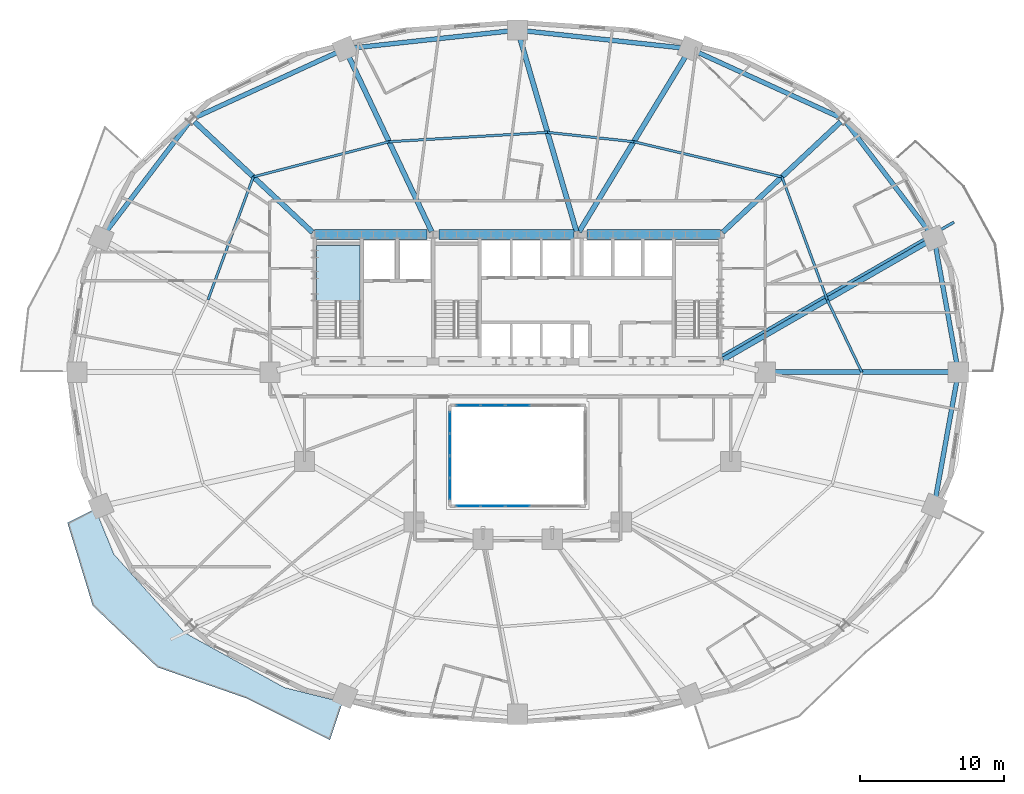
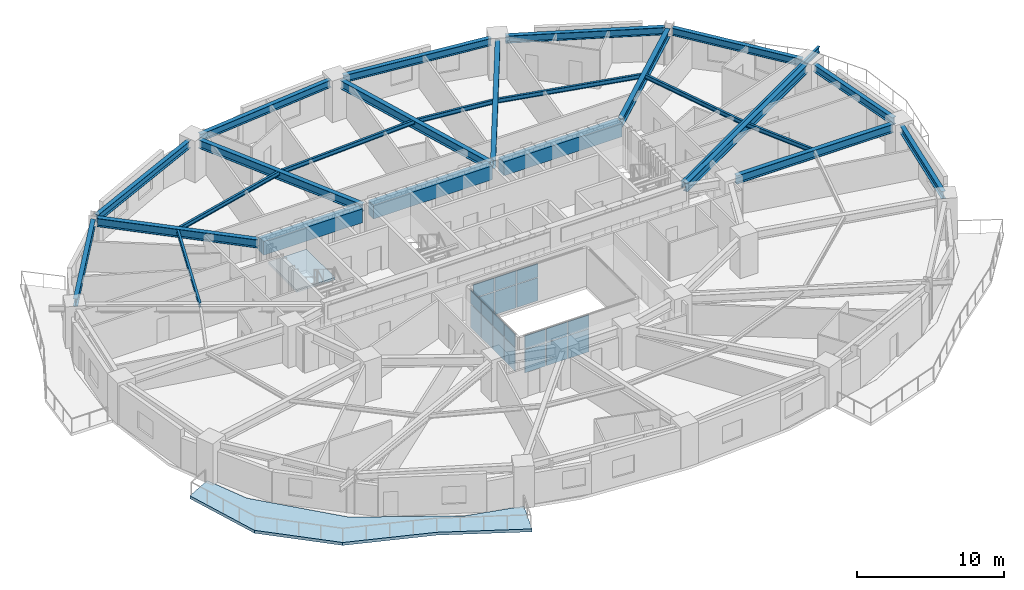
# One storey, part 7 of 17: 26 beams, 20 plates, 2 slabs, 4 elements without a shape of their own.
"""IFC4 building model written with IfcOpenShell, lengths in metres."""

from ifc_helpers import new_model, si_unit, direction, frame, origin, origin_2d, place, context, subcontext, project, spatial, polyline, rectangle, i_section, outline, extrude, material, layer, layer_set, material_profile, profile_set, type_object, element, aggregate, save


model = new_model("IFC4")

# Units and contexts
model_context = context("Model", 3, precision=1e-05, world=origin(), true_north=direction((0.0, 1.0)))
body_context = subcontext(model_context, "Body", "Model", "MODEL_VIEW")
ifc_project = project(units=[si_unit("LENGTHUNIT", "METRE"), si_unit("AREAUNIT", "SQUARE_METRE"), si_unit("VOLUMEUNIT", "CUBIC_METRE"), si_unit("PLANEANGLEUNIT", "RADIAN"), si_unit("MASSUNIT", "GRAM", prefix="KILO")], contexts=[model_context])

# Site, building, storey
site_placement = place(None, origin())
site = spatial("IfcSite", under=ifc_project, at=site_placement, CompositionType="ELEMENT")
building_placement = place(site_placement, origin())
building = spatial("IfcBuilding", under=site, at=building_placement, Name="Haldorwick Loom Tower", CompositionType="ELEMENT")
storey_placement = place(building_placement, frame((0.0, 0.0, 55.050048828125)))
storey = spatial("IfcBuildingStorey", under=building, at=storey_placement, Name="L14", CompositionType="ELEMENT", Elevation=55.050048828125)

# Beams
ifc_material_1 = material(Name="Steel CSA G40.21 350W", Category="steel")
ifc_material_profile_1 = material_profile(ifc_material_1, i_section(OverallWidth=0.193115234375, OverallDepth=0.466064453125, WebThickness=0.011474609375, FlangeThickness=0.01904296875, at=origin_2d()), Name="W460X97", Category="steel")
ifc_profile_set_1 = profile_set([ifc_material_profile_1], Name="Steel CSA G40.21 350W")
beam_type_1 = type_object("IfcBeamType", Name="STR-BM-BAL460", PredefinedType="BEAM", material=ifc_profile_set_1)
beam_1_placement = place(storey_placement, frame((50.125244140625, 27.10498046875, 2.97705078125), z_axis=(0.866607024941, 0.49899124674, 0.0), x_axis=(-0.49899124674, 0.866607024941, 0.0)))
element("IfcBeam", 1, at=beam_1_placement, inside=storey, type_object=beam_type_1, Name="L14 Continuous Back-Spanned Balcony Beam 4", PredefinedType="BEAM", context=body_context, shape_type="SweptSolid", body=[
    extrude(i_section(OverallWidth=0.193115234375, OverallDepth=0.466064453125, WebThickness=0.011474609375, FlangeThickness=0.01904296875, at=origin_2d()), origin(), (0.0, 0.0, 1.0), 18.65771484375),
])
ifc_material_2 = material(Name="Concrete C60 (60 MPa)", Category="concrete")
ifc_material_profile_2 = material_profile(ifc_material_2, rectangle(XDim=0.699951171875, YDim=1.14990234375, at=origin_2d()), Name="RC700X1150", Category="concrete")
ifc_profile_set_2 = profile_set([ifc_material_profile_2], Name="Concrete C60 (60 MPa)")
beam_type_2 = type_object("IfcBeamType", Name="STR-BM-CB1150", PredefinedType="LINTEL", material=ifc_profile_set_2)
beam_2_placement = place(storey_placement, frame((21.89990234375, 35.550048828125, 2.635009765625), z_axis=(1.0, 0.0, 0.0), x_axis=(0.0, 1.0, 0.0)))
element("IfcBeam", 2, at=beam_2_placement, inside=storey, type_object=beam_type_2, Name="L14 Core Coupling Beam CB-N1", PredefinedType="LINTEL", context=body_context, shape_type="SweptSolid", body=[
    extrude(rectangle(XDim=0.699951171875, YDim=1.14990234375, at=origin_2d()), origin(), (0.0, 0.0, 1.0), 7.800048828125),
])
beam_3_placement = place(storey_placement, frame((30.550048828125, 35.550048828125, 2.635009765625), z_axis=(1.0, 0.0, 0.0), x_axis=(0.0, 1.0, 0.0)))
element("IfcBeam", 3, at=beam_3_placement, inside=storey, type_object=beam_type_2, Name="L14 Core Coupling Beam CB-N2", PredefinedType="LINTEL", context=body_context, shape_type="SweptSolid", body=[
    extrude(rectangle(XDim=0.699951171875, YDim=1.14990234375, at=origin_2d()), origin(), (0.0, 0.0, 1.0), 9.349853515625),
])
beam_4_placement = place(storey_placement, frame((40.800048828125, 35.550048828125, 2.635009765625), z_axis=(1.0, 0.0, 0.0), x_axis=(0.0, 1.0, 0.0)))
element("IfcBeam", 4, at=beam_4_placement, inside=storey, type_object=beam_type_2, Name="L14 Core Coupling Beam CB-N3", PredefinedType="LINTEL", context=body_context, shape_type="SweptSolid", body=[
    extrude(rectangle(XDim=0.699951171875, YDim=1.14990234375, at=origin_2d()), origin(), (0.0, 0.0, 1.0), 9.300048828125),
])
ifc_material_profile_3 = material_profile(ifc_material_1, i_section(OverallWidth=0.172119140625, OverallDepth=0.35791015625, WebThickness=0.0078125, FlangeThickness=0.01318359375, at=origin_2d()), Name="W360X57", Category="steel")
ifc_profile_set_3 = profile_set([ifc_material_profile_3], Name="Steel CSA G40.21 350W")
beam_type_3 = type_object("IfcBeamType", Name="STR-BM-J360", PredefinedType="JOIST", material=ifc_profile_set_3)
beam_5_placement = place(storey_placement, frame((59.89794921875, 26.0, 3.031005859375), z_axis=(-0.431630738849, 0.902050389546, 0.0), x_axis=(-0.902050389546, -0.431630738849, 0.0)))
element("IfcBeam", 5, at=beam_5_placement, inside=storey, type_object=beam_type_3, Name="L14 Mid-Bay Secondary Joist 1", PredefinedType="JOIST", context=body_context, shape_type="SweptSolid", body=[
    extrude(i_section(OverallWidth=0.172119140625, OverallDepth=0.35791015625, WebThickness=0.0078125, FlangeThickness=0.01318359375, at=origin_2d()), origin(), (0.0, 0.0, 1.0), 5.5703125),
])
beam_6_placement = place(storey_placement, frame((57.49365234375, 31.024658203125, 3.031005859375), z_axis=(-0.345576005762, 0.938390763084, 0.0), x_axis=(-0.938390763084, -0.345576005762, 0.0)))
element("IfcBeam", 6, at=beam_6_placement, inside=storey, type_object=beam_type_3, Name="L14 Mid-Bay Secondary Joist 2", PredefinedType="JOIST", context=body_context, shape_type="SweptSolid", body=[
    extrude(i_section(OverallWidth=0.172119140625, OverallDepth=0.35791015625, WebThickness=0.0078125, FlangeThickness=0.01318359375, at=origin_2d()), origin(), (0.0, 0.0, 1.0), 9.0966796875),
])
beam_7_placement = place(storey_placement, frame((54.35009765625, 39.560791015625, 3.031005859375), z_axis=(-0.973016191143, 0.230736845289, 0.0), x_axis=(-0.230736845289, -0.973016191143, 0.0)))
element("IfcBeam", 7, at=beam_7_placement, inside=storey, type_object=beam_type_3, Name="L14 Mid-Bay Secondary Joist 3", PredefinedType="JOIST", context=body_context, shape_type="SweptSolid", body=[
    extrude(i_section(OverallWidth=0.172119140625, OverallDepth=0.35791015625, WebThickness=0.0078125, FlangeThickness=0.01318359375, at=origin_2d()), origin(), (0.0, 0.0, 1.0), 10.5712890625),
])
beam_8_placement = place(storey_placement, frame((44.06396484375, 42.0, 3.031005859375), z_axis=(-0.994163660215, 0.107882420753, 0.0), x_axis=(-0.107882420753, -0.994163660215, 0.0)))
element("IfcBeam", 8, at=beam_8_placement, inside=storey, type_object=beam_type_3, Name="L14 Mid-Bay Secondary Joist 4", PredefinedType="JOIST", context=body_context, shape_type="SweptSolid", body=[
    extrude(i_section(OverallWidth=0.172119140625, OverallDepth=0.35791015625, WebThickness=0.0078125, FlangeThickness=0.01318359375, at=origin_2d()), origin(), (0.0, 0.0, 1.0), 6.024169921875),
])
beam_9_placement = place(storey_placement, frame((38.074951171875, 42.64990234375, 3.031005859375), z_axis=(-0.998258904552, -0.058984400336, 0.0), x_axis=(0.058984400336, -0.998258904552, 0.0)))
element("IfcBeam", 9, at=beam_9_placement, inside=storey, type_object=beam_type_3, Name="L14 Mid-Bay Secondary Joist 5", PredefinedType="JOIST", context=body_context, shape_type="SweptSolid", body=[
    extrude(i_section(OverallWidth=0.172119140625, OverallDepth=0.35791015625, WebThickness=0.0078125, FlangeThickness=0.01318359375, at=origin_2d()), origin(), (0.0, 0.0, 1.0), 11.018310546875),
])
beam_10_placement = place(storey_placement, frame((27.075927734375, 42.0, 3.031005859375), z_axis=(-0.968110955806, -0.250521809927, 0.0), x_axis=(0.250521809927, -0.968110955806, 0.0)))
element("IfcBeam", 10, at=beam_10_placement, inside=storey, type_object=beam_type_3, Name="L14 Mid-Bay Secondary Joist 6", PredefinedType="JOIST", context=body_context, shape_type="SweptSolid", body=[
    extrude(i_section(OverallWidth=0.172119140625, OverallDepth=0.35791015625, WebThickness=0.0078125, FlangeThickness=0.01318359375, at=origin_2d()), origin(), (0.0, 0.0, 1.0), 9.736572265625),
])
beam_11_placement = place(storey_placement, frame((17.64990234375, 39.560791015625, 3.031005859375), z_axis=(-0.345576005762, -0.938390763084, 0.0), x_axis=(0.938390763084, -0.345576005762, 0.0)))
element("IfcBeam", 11, at=beam_11_placement, inside=storey, type_object=beam_type_3, Name="L14 Mid-Bay Secondary Joist 7", PredefinedType="JOIST", context=body_context, shape_type="SweptSolid", body=[
    extrude(i_section(OverallWidth=0.172119140625, OverallDepth=0.35791015625, WebThickness=0.0078125, FlangeThickness=0.01318359375, at=origin_2d()), origin(), (0.0, 0.0, 1.0), 9.0966796875),
])
ifc_material_profile_4 = material_profile(ifc_material_1, i_section(OverallWidth=0.324951171875, OverallDepth=0.615966796875, WebThickness=0.013916015625, FlangeThickness=0.021484375, at=origin_2d()), Name="W610X174", Category="steel")
ifc_profile_set_4 = profile_set([ifc_material_profile_4], Name="Steel CSA G40.21 350W")
beam_type_4 = type_object("IfcBeamType", Name="STR-BM-SP610", PredefinedType="SPANDREL", material=ifc_profile_set_4)
beam_12_placement = place(storey_placement, frame((66.503662109375, 26.51171875, 2.90185546875), z_axis=(-0.177641139482, 0.984095333575, 0.0), x_axis=(-0.984095333575, -0.177641139482, 0.0)))
element("IfcBeam", 12, at=beam_12_placement, inside=storey, type_object=beam_type_4, Name="L14 Perimeter Spandrel 1", PredefinedType="SPANDREL", context=body_context, shape_type="SweptSolid", body=[
    extrude(i_section(OverallWidth=0.324951171875, OverallDepth=0.615966796875, WebThickness=0.013916015625, FlangeThickness=0.021484375, at=origin_2d()), origin(), (0.0, 0.0, 1.0), 8.40966796875),
])
beam_13_placement = place(storey_placement, frame((64.602783203125, 35.713134765625, 2.90185546875), z_axis=(-0.605084557744, 0.796161213562, 0.0), x_axis=(-0.796161213562, -0.605084557744, 0.0)))
element("IfcBeam", 13, at=beam_13_placement, inside=storey, type_object=beam_type_4, Name="L14 Perimeter Spandrel 2", PredefinedType="SPANDREL", context=body_context, shape_type="SweptSolid", body=[
    extrude(i_section(OverallWidth=0.324951171875, OverallDepth=0.615966796875, WebThickness=0.013916015625, FlangeThickness=0.021484375, at=origin_2d()), origin(), (0.0, 0.0, 1.0), 9.595703125),
])
beam_14_placement = place(storey_placement, frame((58.380126953125, 43.68603515625, 2.90185546875), z_axis=(-0.909173805321, 0.416416848504, 0.0), x_axis=(-0.416416848504, -0.909173805321, 0.0)))
element("IfcBeam", 14, at=beam_14_placement, inside=storey, type_object=beam_type_4, Name="L14 Perimeter Spandrel 3", PredefinedType="SPANDREL", context=body_context, shape_type="SweptSolid", body=[
    extrude(i_section(OverallWidth=0.324951171875, OverallDepth=0.615966796875, WebThickness=0.013916015625, FlangeThickness=0.021484375, at=origin_2d()), origin(), (0.0, 0.0, 1.0), 10.92138671875),
])
for number, where, z_axis, x_axis, name in (
    (15, (47.4609375, 48.50634765625, 2.90185546875), (-0.994164438636, 0.107875247167, 0.0), (-0.107875247167, -0.994164438636, 0.0), "L14 Perimeter Spandrel 4"),
    (16, (35.48291015625, 49.69384765625, 2.90185546875), (-0.994164438636, -0.107875247167, 0.0), (0.107875247167, -0.994164438636, 0.0), "L14 Perimeter Spandrel 5"),
):
    element("IfcBeam", number, at=place(storey_placement, frame(where, z_axis=z_axis, x_axis=x_axis)), inside=storey, type_object=beam_type_4, Name=name, PredefinedType="SPANDREL", context=body_context, shape_type="SweptSolid", body=[
        extrude(i_section(OverallWidth=0.324951171875, OverallDepth=0.615966796875, WebThickness=0.013916015625, FlangeThickness=0.021484375, at=origin_2d()), origin(), (0.0, 0.0, 1.0), 11.008056640625),
    ])
beam_15_placement = place(storey_placement, frame((23.54931640625, 48.23388671875, 2.90185546875), z_axis=(-0.909173805321, -0.416416848504, 0.0), x_axis=(0.416416848504, -0.909173805321, 0.0)))
element("IfcBeam", 17, at=beam_15_placement, inside=storey, type_object=beam_type_4, Name="L14 Perimeter Spandrel 6", PredefinedType="SPANDREL", context=body_context, shape_type="SweptSolid", body=[
    extrude(i_section(OverallWidth=0.324951171875, OverallDepth=0.615966796875, WebThickness=0.013916015625, FlangeThickness=0.021484375, at=origin_2d()), origin(), (0.0, 0.0, 1.0), 10.92138671875),
])
beam_16_placement = place(storey_placement, frame((13.203369140625, 43.352783203125, 2.90185546875), z_axis=(-0.605084557744, -0.796161213562, 0.0), x_axis=(0.796161213562, -0.605084557744, 0.0)))
element("IfcBeam", 18, at=beam_16_placement, inside=storey, type_object=beam_type_4, Name="L14 Perimeter Spandrel 7", PredefinedType="SPANDREL", context=body_context, shape_type="SweptSolid", body=[
    extrude(i_section(OverallWidth=0.324951171875, OverallDepth=0.615966796875, WebThickness=0.013916015625, FlangeThickness=0.021484375, at=origin_2d()), origin(), (0.0, 0.0, 1.0), 9.595703125),
])
beam_17_placement = place(storey_placement, frame((65.009765625, 17.21240234375, 2.90185546875), z_axis=(0.177641139482, 0.984095333575, 0.0), x_axis=(-0.984095333575, 0.177641139482, 0.0)))
element("IfcBeam", 19, at=beam_17_placement, inside=storey, type_object=beam_type_4, Name="L14 Perimeter Spandrel 16", PredefinedType="SPANDREL", context=body_context, shape_type="SweptSolid", body=[
    extrude(i_section(OverallWidth=0.324951171875, OverallDepth=0.615966796875, WebThickness=0.013916015625, FlangeThickness=0.021484375, at=origin_2d()), origin(), (0.0, 0.0, 1.0), 8.40966796875),
])
ifc_material_profile_5 = material_profile(ifc_material_1, i_section(OverallWidth=0.35498046875, OverallDepth=0.695068359375, WebThickness=0.015380859375, FlangeThickness=0.02490234375, at=origin_2d()), Name="W690X217", Category="steel")
ifc_profile_set_5 = profile_set([ifc_material_profile_5], Name="Steel CSA G40.21 350W")
beam_type_5 = type_object("IfcBeamType", Name="STR-BM-W690", PredefinedType="BEAM", material=ifc_profile_set_5)
beam_18_placement = place(storey_placement, frame((53.719970703125, 26.0, 2.862548828125), z_axis=(1.0, 0.0, 0.0), x_axis=(0.0, 1.0, 0.0)))
element("IfcBeam", 20, at=beam_18_placement, inside=storey, type_object=beam_type_5, Name="L14 Radial Floor Girder 1", PredefinedType="BEAM", context=body_context, shape_type="SweptSolid", body=[
    extrude(i_section(OverallWidth=0.35498046875, OverallDepth=0.695068359375, WebThickness=0.015380859375, FlangeThickness=0.02490234375, at=origin_2d()), origin(), (0.0, 0.0, 1.0), 12.35595703125),
])
beam_19_placement = place(storey_placement, frame((50.264892578125, 26.8623046875, 2.862548828125), z_axis=(0.86660566838, 0.498993602696, 0.0), x_axis=(-0.498993602696, 0.86660566838, 0.0)))
element("IfcBeam", 21, at=beam_19_placement, inside=storey, type_object=beam_type_5, Name="L14 Radial Floor Girder 2", PredefinedType="BEAM", context=body_context, shape_type="SweptSolid", body=[
    extrude(i_section(OverallWidth=0.35498046875, OverallDepth=0.695068359375, WebThickness=0.015380859375, FlangeThickness=0.02490234375, at=origin_2d()), origin(), (0.0, 0.0, 1.0), 16.387939453125),
])
beam_20_placement = place(storey_placement, frame((50.234130859375, 35.703857421875, 2.862548828125), z_axis=(0.729689033278, 0.683779141766, 0.0), x_axis=(-0.683779141766, 0.729689033278, 0.0)))
element("IfcBeam", 22, at=beam_20_placement, inside=storey, type_object=beam_type_5, Name="L14 Radial Floor Girder 3", PredefinedType="BEAM", context=body_context, shape_type="SweptSolid", body=[
    extrude(i_section(OverallWidth=0.35498046875, OverallDepth=0.695068359375, WebThickness=0.015380859375, FlangeThickness=0.02490234375, at=origin_2d()), origin(), (0.0, 0.0, 1.0), 11.231201171875),
])
beam_21_placement = place(storey_placement, frame((40.2666015625, 35.742431640625, 2.862548828125), z_axis=(0.518781813409, 0.854906679162, 0.0), x_axis=(-0.854906679162, 0.518781813409, 0.0)))
element("IfcBeam", 23, at=beam_21_placement, inside=storey, type_object=beam_type_5, Name="L14 Radial Floor Girder 4", PredefinedType="BEAM", context=body_context, shape_type="SweptSolid", body=[
    extrude(i_section(OverallWidth=0.35498046875, OverallDepth=0.695068359375, WebThickness=0.015380859375, FlangeThickness=0.02490234375, at=origin_2d()), origin(), (0.0, 0.0, 1.0), 14.344482421875),
])
beam_22_placement = place(storey_placement, frame((40.0869140625, 35.76611328125, 2.862548828125), z_axis=(-0.28051378914, 0.959849995625, 0.0), x_axis=(-0.959849995625, -0.28051378914, 0.0)))
element("IfcBeam", 24, at=beam_22_placement, inside=storey, type_object=beam_type_5, Name="L14 Radial Floor Girder 5", PredefinedType="BEAM", context=body_context, shape_type="SweptSolid", body=[
    extrude(i_section(OverallWidth=0.35498046875, OverallDepth=0.695068359375, WebThickness=0.015380859375, FlangeThickness=0.02490234375, at=origin_2d()), origin(), (0.0, 0.0, 1.0), 14.048828125),
])
beam_23_placement = place(storey_placement, frame((30.03369140625, 35.75341796875, 2.862548828125), z_axis=(-0.427945149389, 0.903804707398, 0.0), x_axis=(-0.903804707398, -0.427945149389, 0.0)))
element("IfcBeam", 25, at=beam_23_placement, inside=storey, type_object=beam_type_5, Name="L14 Radial Floor Girder 6", PredefinedType="BEAM", context=body_context, shape_type="SweptSolid", body=[
    extrude(i_section(OverallWidth=0.35498046875, OverallDepth=0.695068359375, WebThickness=0.015380859375, FlangeThickness=0.02490234375, at=origin_2d()), origin(), (0.0, 0.0, 1.0), 13.528076171875),
])
beam_24_placement = place(storey_placement, frame((21.765869140625, 35.703857421875, 2.862548828125), z_axis=(-0.729689033278, 0.683779141766, 0.0), x_axis=(-0.683779141766, -0.729689033278, 0.0)))
element("IfcBeam", 26, at=beam_24_placement, inside=storey, type_object=beam_type_5, Name="L14 Radial Floor Girder 7", PredefinedType="BEAM", context=body_context, shape_type="SweptSolid", body=[
    extrude(i_section(OverallWidth=0.35498046875, OverallDepth=0.695068359375, WebThickness=0.015380859375, FlangeThickness=0.02490234375, at=origin_2d()), origin(), (0.0, 0.0, 1.0), 11.231201171875),
])

# Curtain wall, plates
ifc_material_3 = material(Name="Thermally Broken Anodized Aluminium Curtain Wall Framing", Category="aluminium")
curtain_wall_type = type_object("IfcCurtainWallType", Name="ARC-CW-03", PredefinedType="NOTDEFINED", material=ifc_material_3)
curtain_wall_1_placement = place(storey_placement, origin())
curtain_wall_1 = element("IfcCurtainWall", 27, at=curtain_wall_1_placement, inside=storey, type_object=curtain_wall_type, Name="L14 Atrium Glazed Screen S", PredefinedType="NOTDEFINED")
ifc_material_4 = material(Name="Triple-Glazed Low-E Argon Insulated Glazing Unit", Category="glass")
ifc_layer_1 = layer(ifc_material_4, 0.04296875, Name="Triple-Glazed Low-E Argon Insulated Glazing Unit", Category="glass")
ifc_layer_set_1 = layer_set([ifc_layer_1], Name="Triple-Glazed Low-E Argon Insulated Glazing Unit")
plate_type = type_object("IfcPlateType", Name="ARC-CWP-03", PredefinedType="CURTAIN_PANEL", material=ifc_layer_set_1)
plate_1_placement = place(storey_placement, frame((36.0, 16.699951171875, 0.06591796875), z_axis=(0.0, 0.0, 1.0), x_axis=(-1.0, 0.0, 0.0)))
plate_1 = element("IfcPlate", 28, at=plate_1_placement, type_object=plate_type, Name="CW-03 panel 3.1", PredefinedType="CURTAIN_PANEL", context=body_context, shape_type="SweptSolid", body=[
    extrude(rectangle(XDim=1.654052734375, YDim=0.04296875, at=origin_2d()), origin(), (0.0, 0.0, 1.0), 1.90087890625),
])
plate_2_placement = place(storey_placement, frame((36.0, 16.699951171875, 2.03271484375), z_axis=(0.0, 0.0, 1.0), x_axis=(-1.0, 0.0, 0.0)))
plate_2 = element("IfcPlate", 29, at=plate_2_placement, type_object=plate_type, Name="CW-03 panel 3.2", PredefinedType="CURTAIN_PANEL", context=body_context, shape_type="SweptSolid", body=[
    extrude(rectangle(XDim=1.654052734375, YDim=0.04296875, at=origin_2d()), origin(), (0.0, 0.0, 1.0), 1.111083984375),
])
plate_3_placement = place(storey_placement, frame((34.280029296875, 16.699951171875, 0.06591796875), z_axis=(0.0, 0.0, 1.0), x_axis=(-1.0, 0.0, 0.0)))
plate_3 = element("IfcPlate", 30, at=plate_3_placement, type_object=plate_type, Name="CW-03 panel 4.1", PredefinedType="CURTAIN_PANEL", context=body_context, shape_type="SweptSolid", body=[
    extrude(rectangle(XDim=1.654052734375, YDim=0.04296875, at=origin_2d()), origin(), (0.0, 0.0, 1.0), 1.90087890625),
])
plate_4_placement = place(storey_placement, frame((34.280029296875, 16.699951171875, 2.03271484375), z_axis=(0.0, 0.0, 1.0), x_axis=(-1.0, 0.0, 0.0)))
plate_4 = element("IfcPlate", 31, at=plate_4_placement, type_object=plate_type, Name="CW-03 panel 4.2", PredefinedType="CURTAIN_PANEL", context=body_context, shape_type="SweptSolid", body=[
    extrude(rectangle(XDim=1.654052734375, YDim=0.04296875, at=origin_2d()), origin(), (0.0, 0.0, 1.0), 1.111083984375),
])
plate_5_placement = place(storey_placement, frame((32.576416015625, 16.699951171875, 0.06591796875), z_axis=(0.0, 0.0, 1.0), x_axis=(-1.0, 0.0, 0.0)))
plate_5 = element("IfcPlate", 32, at=plate_5_placement, type_object=plate_type, Name="CW-03 panel 5.1", PredefinedType="CURTAIN_PANEL", context=body_context, shape_type="SweptSolid", body=[
    extrude(rectangle(XDim=1.62109375, YDim=0.04296875, at=origin_2d()), origin(), (0.0, 0.0, 1.0), 1.90087890625),
])
plate_6_placement = place(storey_placement, frame((32.576416015625, 16.699951171875, 2.03271484375), z_axis=(0.0, 0.0, 1.0), x_axis=(-1.0, 0.0, 0.0)))
plate_6 = element("IfcPlate", 33, at=plate_6_placement, type_object=plate_type, Name="CW-03 panel 5.2", PredefinedType="CURTAIN_PANEL", context=body_context, shape_type="SweptSolid", body=[
    extrude(rectangle(XDim=1.62109375, YDim=0.04296875, at=origin_2d()), origin(), (0.0, 0.0, 1.0), 1.111083984375),
])
aggregate(curtain_wall_1, [plate_1, plate_2, plate_3, plate_4, plate_5, plate_6])

curtain_wall_2_placement = place(storey_placement, origin())
curtain_wall_2 = element("IfcCurtainWall", 34, at=curtain_wall_2_placement, inside=storey, type_object=curtain_wall_type, Name="L14 Atrium Glazed Screen N", PredefinedType="NOTDEFINED")
plate_7_placement = place(storey_placement, frame((32.576416015625, 23.699951171875, 0.06591796875), z_axis=(0.0, 0.0, 1.0), x_axis=(1.0, 0.0, 0.0)))
plate_7 = element("IfcPlate", 35, at=plate_7_placement, type_object=plate_type, Name="CW-03 panel 1.1", PredefinedType="CURTAIN_PANEL", context=body_context, shape_type="SweptSolid", body=[
    extrude(rectangle(XDim=1.62109375, YDim=0.04296875, at=origin_2d()), origin(), (0.0, 0.0, 1.0), 1.90087890625),
])
plate_8_placement = place(storey_placement, frame((32.576416015625, 23.699951171875, 2.03271484375), z_axis=(0.0, 0.0, 1.0), x_axis=(1.0, 0.0, 0.0)))
plate_8 = element("IfcPlate", 36, at=plate_8_placement, type_object=plate_type, Name="CW-03 panel 1.2", PredefinedType="CURTAIN_PANEL", context=body_context, shape_type="SweptSolid", body=[
    extrude(rectangle(XDim=1.62109375, YDim=0.04296875, at=origin_2d()), origin(), (0.0, 0.0, 1.0), 1.111083984375),
])
plate_9_placement = place(storey_placement, frame((34.280029296875, 23.699951171875, 0.06591796875), z_axis=(0.0, 0.0, 1.0), x_axis=(1.0, 0.0, 0.0)))
plate_9 = element("IfcPlate", 37, at=plate_9_placement, type_object=plate_type, Name="CW-03 panel 2.1", PredefinedType="CURTAIN_PANEL", context=body_context, shape_type="SweptSolid", body=[
    extrude(rectangle(XDim=1.654052734375, YDim=0.04296875, at=origin_2d()), origin(), (0.0, 0.0, 1.0), 1.90087890625),
])
plate_10_placement = place(storey_placement, frame((34.280029296875, 23.699951171875, 2.03271484375), z_axis=(0.0, 0.0, 1.0), x_axis=(1.0, 0.0, 0.0)))
plate_10 = element("IfcPlate", 38, at=plate_10_placement, type_object=plate_type, Name="CW-03 panel 2.2", PredefinedType="CURTAIN_PANEL", context=body_context, shape_type="SweptSolid", body=[
    extrude(rectangle(XDim=1.654052734375, YDim=0.04296875, at=origin_2d()), origin(), (0.0, 0.0, 1.0), 1.111083984375),
])
plate_11_placement = place(storey_placement, frame((36.0, 23.699951171875, 0.06591796875), z_axis=(0.0, 0.0, 1.0), x_axis=(1.0, 0.0, 0.0)))
plate_11 = element("IfcPlate", 39, at=plate_11_placement, type_object=plate_type, Name="CW-03 panel 3.1", PredefinedType="CURTAIN_PANEL", context=body_context, shape_type="SweptSolid", body=[
    extrude(rectangle(XDim=1.654052734375, YDim=0.04296875, at=origin_2d()), origin(), (0.0, 0.0, 1.0), 1.90087890625),
])
plate_12_placement = place(storey_placement, frame((36.0, 23.699951171875, 2.03271484375), z_axis=(0.0, 0.0, 1.0), x_axis=(1.0, 0.0, 0.0)))
plate_12 = element("IfcPlate", 40, at=plate_12_placement, type_object=plate_type, Name="CW-03 panel 3.2", PredefinedType="CURTAIN_PANEL", context=body_context, shape_type="SweptSolid", body=[
    extrude(rectangle(XDim=1.654052734375, YDim=0.04296875, at=origin_2d()), origin(), (0.0, 0.0, 1.0), 1.111083984375),
])
aggregate(curtain_wall_2, [plate_7, plate_8, plate_9, plate_10, plate_11, plate_12])

curtain_wall_3_placement = place(storey_placement, origin())
curtain_wall_3 = element("IfcCurtainWall", 41, at=curtain_wall_3_placement, inside=storey, type_object=curtain_wall_type, Name="L14 Atrium Glazed Screen W", PredefinedType="NOTDEFINED")
plate_13_placement = place(storey_placement, frame((31.300048828125, 17.8916015625, 0.06591796875), z_axis=(0.0, 0.0, 1.0), x_axis=(0.0, 1.0, 0.0)))
plate_13 = element("IfcPlate", 42, at=plate_13_placement, type_object=plate_type, Name="CW-03 panel 1.1", PredefinedType="CURTAIN_PANEL", context=body_context, shape_type="SweptSolid", body=[
    extrude(rectangle(XDim=1.450927734375, YDim=0.04296875, at=origin_2d()), origin(), (0.0, 0.0, 1.0), 1.90087890625),
])
plate_14_placement = place(storey_placement, frame((31.300048828125, 17.8916015625, 2.03271484375), z_axis=(0.0, 0.0, 1.0), x_axis=(0.0, 1.0, 0.0)))
plate_14 = element("IfcPlate", 43, at=plate_14_placement, type_object=plate_type, Name="CW-03 panel 1.2", PredefinedType="CURTAIN_PANEL", context=body_context, shape_type="SweptSolid", body=[
    extrude(rectangle(XDim=1.450927734375, YDim=0.04296875, at=origin_2d()), origin(), (0.0, 0.0, 1.0), 1.111083984375),
])
plate_15_placement = place(storey_placement, frame((31.300048828125, 19.425048828125, 0.06591796875), z_axis=(0.0, 0.0, 1.0), x_axis=(0.0, 1.0, 0.0)))
plate_15 = element("IfcPlate", 44, at=plate_15_placement, type_object=plate_type, Name="CW-03 panel 2.1", PredefinedType="CURTAIN_PANEL", context=body_context, shape_type="SweptSolid", body=[
    extrude(rectangle(XDim=1.48388671875, YDim=0.04296875, at=origin_2d()), origin(), (0.0, 0.0, 1.0), 1.90087890625),
])
plate_16_placement = place(storey_placement, frame((31.300048828125, 19.425048828125, 2.03271484375), z_axis=(0.0, 0.0, 1.0), x_axis=(0.0, 1.0, 0.0)))
plate_16 = element("IfcPlate", 45, at=plate_16_placement, type_object=plate_type, Name="CW-03 panel 2.2", PredefinedType="CURTAIN_PANEL", context=body_context, shape_type="SweptSolid", body=[
    extrude(rectangle(XDim=1.48388671875, YDim=0.04296875, at=origin_2d()), origin(), (0.0, 0.0, 1.0), 1.111083984375),
])
plate_17_placement = place(storey_placement, frame((31.300048828125, 20.97509765625, 0.06591796875), z_axis=(0.0, 0.0, 1.0), x_axis=(0.0, 1.0, 0.0)))
plate_17 = element("IfcPlate", 46, at=plate_17_placement, type_object=plate_type, Name="CW-03 panel 3.1", PredefinedType="CURTAIN_PANEL", context=body_context, shape_type="SweptSolid", body=[
    extrude(rectangle(XDim=1.48388671875, YDim=0.04296875, at=origin_2d()), origin(), (0.0, 0.0, 1.0), 1.90087890625),
])
plate_18_placement = place(storey_placement, frame((31.300048828125, 20.97509765625, 2.03271484375), z_axis=(0.0, 0.0, 1.0), x_axis=(0.0, 1.0, 0.0)))
plate_18 = element("IfcPlate", 47, at=plate_18_placement, type_object=plate_type, Name="CW-03 panel 3.2", PredefinedType="CURTAIN_PANEL", context=body_context, shape_type="SweptSolid", body=[
    extrude(rectangle(XDim=1.48388671875, YDim=0.04296875, at=origin_2d()), origin(), (0.0, 0.0, 1.0), 1.111083984375),
])
plate_19_placement = place(storey_placement, frame((31.300048828125, 22.508544921875, 0.06591796875), z_axis=(0.0, 0.0, 1.0), x_axis=(0.0, 1.0, 0.0)))
plate_19 = element("IfcPlate", 48, at=plate_19_placement, type_object=plate_type, Name="CW-03 panel 4.1", PredefinedType="CURTAIN_PANEL", context=body_context, shape_type="SweptSolid", body=[
    extrude(rectangle(XDim=1.450927734375, YDim=0.04296875, at=origin_2d()), origin(), (0.0, 0.0, 1.0), 1.90087890625),
])
plate_20_placement = place(storey_placement, frame((31.300048828125, 22.508544921875, 2.03271484375), z_axis=(0.0, 0.0, 1.0), x_axis=(0.0, 1.0, 0.0)))
plate_20 = element("IfcPlate", 49, at=plate_20_placement, type_object=plate_type, Name="CW-03 panel 4.2", PredefinedType="CURTAIN_PANEL", context=body_context, shape_type="SweptSolid", body=[
    extrude(rectangle(XDim=1.450927734375, YDim=0.04296875, at=origin_2d()), origin(), (0.0, 0.0, 1.0), 1.111083984375),
])
aggregate(curtain_wall_3, [plate_13, plate_14, plate_15, plate_16, plate_17, plate_18, plate_19, plate_20])

# Slab
ifc_material_5 = material(Name="Concrete C40 (40 MPa)", Category="concrete")
ifc_layer_2 = layer(ifc_material_5, 0.239990234375, Name="Concrete C40 (40 MPa)", Category="concrete")
ifc_layer_set_2 = layer_set([ifc_layer_2], Name="Concrete C40 (40 MPa)")
slab_type_1 = type_object("IfcSlabType", Name="STR-SLB-BAL240", PredefinedType="FLOOR", material=ifc_layer_set_2)
slab_1_placement = place(storey_placement, frame((0.0, 0.0, -0.239990234375)))
element("IfcSlab", 50, at=slab_1_placement, inside=storey, type_object=slab_type_1, Name="L14 Sinusoidal Balcony Terrace BAL_SW", PredefinedType="FLOOR", context=body_context, shape_type="SweptSolid", body=[
    extrude(outline(polyline([(23.84765625, 3.091064453125), (19.8203125, 4.0966796875), (19.819091796875, 4.096923828125), (19.81787109375, 4.097412109375), (19.81689453125, 4.09814453125), (12.86767578125, 7.92041015625), (12.8662109375, 7.921142578125), (12.86474609375, 7.922119140625), (12.86376953125, 7.92333984375), (7.97119140625, 13.3525390625), (7.97021484375, 13.353515625), (7.969482421875, 13.3544921875), (7.968994140625, 13.355712890625), (7.968505859375, 13.356689453125), (6.67529296875, 16.51806640625), (4.75048828125, 15.539306640625), (6.50927734375, 9.7822265625), (10.989990234375, 5.52099609375), (17.151123046875, 3.368896484375), (22.96728515625, 0.4716796875), (23.84765625, 3.091064453125)])), origin(), (0.0, 0.0, 1.0), 0.239990234375),
])

# Stair, slab
stair_type = type_object("IfcStairType", Name="STR-STR-CORE", PredefinedType="HALF_TURN_STAIR", material=ifc_material_5)
stair_placement = place(storey_placement, origin())
stair = element("IfcStair", 51, at=stair_placement, inside=storey, type_object=stair_type, Name="L14 Exit Stair ST-01", PredefinedType="HALF_TURN_STAIR")
ifc_layer_3 = layer(ifc_material_5, 0.199951171875, Name="Concrete C40 (40 MPa)", Category="concrete")
ifc_layer_set_3 = layer_set([ifc_layer_3], Name="Concrete C40 (40 MPa)")
slab_type_2 = type_object("IfcSlabType", Name="STR-SLB-LAND200", PredefinedType="LANDING", material=ifc_layer_set_3)
slab_2_placement = place(storey_placement, frame((0.0, 0.0, 1.52490234375)))
slab_2 = element("IfcSlab", 52, at=slab_2_placement, type_object=slab_type_2, Name="ST-01 landing 1", PredefinedType="LANDING", context=body_context, shape_type="SweptSolid", body=[
    extrude(outline(polyline([(25.050048828125, 30.919921875), (25.050048828125, 34.800048828125), (22.050048828125, 34.800048828125), (22.050048828125, 30.919921875), (25.050048828125, 30.919921875)])), origin(), (0.0, 0.0, 1.0), 0.199951171875),
])
aggregate(stair, [slab_2])

save(model, "model.ifc")
